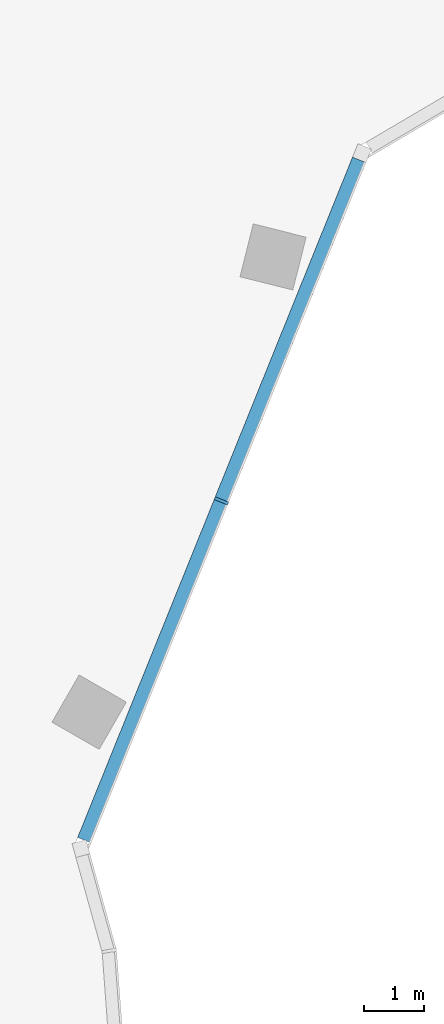
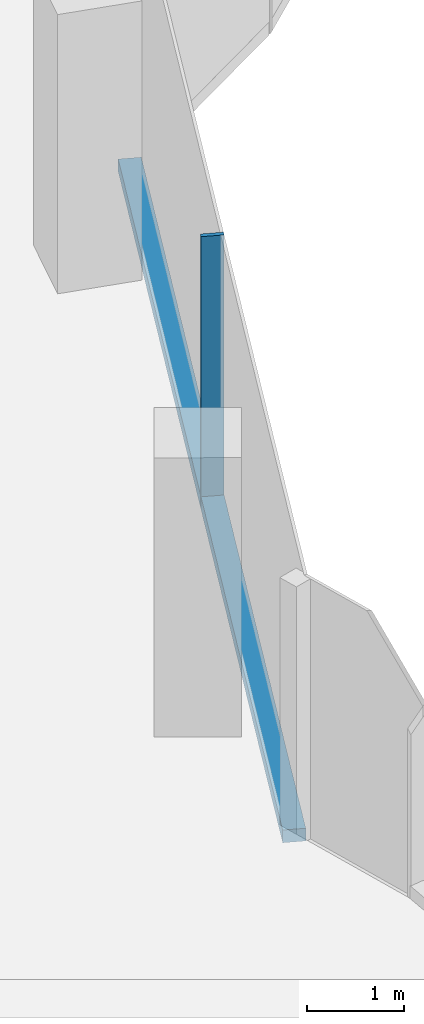
# One storey, part 5 of 16: 2 members, 1 element without a shape of its own.
"""IFC4 building model written with IfcOpenShell, lengths in metres."""

import ifcopenshell
import ifcopenshell.guid

model = None  # the IFC model being written
_history = None  # IfcOwnerHistory: only IFC2X3 demands one
_inside = {}  # id of a spatial element -> (the spatial element, [elements in it])
_under = {}  # id of a project, library or spatial element -> (it, [spatial elements below it])
_declared = {}  # id of a project -> (the project, [libraries it declares])
_typed = {}  # id of a type object -> (the type object, [elements of that type])
_made_of = {}  # id of a material, layer set ... -> (it, [elements and type objects made of it])


def new_model(schema):
    """Start an empty IFC model of exactly this schema.

    Asked for "IFC4X3", IfcOpenShell would pick the latest addendum, in which some entities
    have other attributes; the version numbers below select the first issue.
    IFC2X3 requires an IfcOwnerHistory on every rooted entity: one is made here for all.
    """
    global model, _history
    if schema == "IFC4X3":
        model = ifcopenshell.file(schema_version=(4, 3, 0, 0))
    else:
        model = ifcopenshell.file(schema=schema)
    _inside.clear()
    _under.clear()
    _declared.clear()
    _typed.clear()
    _made_of.clear()
    _history = None
    if model.schema == "IFC2X3":
        org = make("IfcOrganization", Name="unknown")
        user = make(
            "IfcPersonAndOrganization",
            ThePerson=make("IfcPerson", FamilyName="unknown"),
            TheOrganization=org,
        )
        app = make(
            "IfcApplication",
            ApplicationDeveloper=org,
            Version="unknown",
            ApplicationFullName="unknown",
            ApplicationIdentifier="unknown",
        )
        _history = make(
            "IfcOwnerHistory",
            OwningUser=user,
            OwningApplication=app,
            ChangeAction="ADDED",
            CreationDate=0,
        )
    return model


def make(cls, **values):
    """One entity of the class cls with the attributes given. An attribute that is None is left unset."""
    return model.create_entity(
        cls, **{name: value for name, value in values.items() if value is not None}
    )


def rooted(cls, **values):
    """An entity with a GlobalId (a new one), such as an element, a storey or a relation."""
    return make(cls, GlobalId=ifcopenshell.guid.new(), OwnerHistory=_history, **values)


def si_unit(unit_type, name, prefix=None):
    """IfcSIUnit, for example si_unit("LENGTHUNIT", "METRE", prefix="MILLI")."""
    return make("IfcSIUnit", UnitType=unit_type, Prefix=prefix, Name=name)


def assignment(units):
    """IfcUnitAssignment: the units of a project."""
    return None if units is None else make("IfcUnitAssignment", Units=units)


def point(xyz):
    """IfcCartesianPoint."""
    return None if xyz is None else make("IfcCartesianPoint", Coordinates=xyz)


def direction(xyz):
    """IfcDirection."""
    return None if xyz is None else make("IfcDirection", DirectionRatios=xyz)


def frame(location, z_axis=None, x_axis=None):
    """IfcAxis2Placement3D, a coordinate frame: its origin and axes. An axis left out is left unset."""
    return make(
        "IfcAxis2Placement3D",
        Location=point(location),
        Axis=direction(z_axis),
        RefDirection=direction(x_axis),
    )


def frame_2d(location, x_axis=None):
    """IfcAxis2Placement2D, a coordinate frame in the plane: its origin and x axis."""
    return make(
        "IfcAxis2Placement2D", Location=point(location), RefDirection=direction(x_axis)
    )


def origin():
    """The frame at (0, 0, 0) with its axes left unset."""
    return frame((0.0, 0.0, 0.0))


def origin_2d():
    """The frame at (0, 0) in the plane with its x axis left unset."""
    return frame_2d((0.0, 0.0))


def place(relative_to, where):
    """IfcLocalPlacement: puts the frame where relative to a parent placement (None: the world)."""
    return make(
        "IfcLocalPlacement", PlacementRelTo=relative_to, RelativePlacement=where
    )


def context(
    kind, dimensions, precision=None, world=None, true_north=None, identifier=None
):
    """IfcGeometricRepresentationContext, for example the 3D "Model" context."""
    return make(
        "IfcGeometricRepresentationContext",
        ContextIdentifier=identifier,
        ContextType=kind,
        CoordinateSpaceDimension=dimensions,
        Precision=precision,
        WorldCoordinateSystem=world,
        TrueNorth=true_north,
    )


def subcontext(parent, identifier, kind, view, scale=None):
    """IfcGeometricRepresentationSubContext, for example "Body" below "Model"."""
    return make(
        "IfcGeometricRepresentationSubContext",
        ContextIdentifier=identifier,
        ContextType=kind,
        ParentContext=parent,
        TargetScale=scale,
        TargetView=view,
    )


def project(units=None, contexts=None):
    """IfcProject with its units and contexts."""
    return rooted(
        "IfcProject",
        Name="project",
        RepresentationContexts=contexts,
        UnitsInContext=assignment(units),
    )


def spatial(cls, under=None, at=None, **own):
    """A site, building, storey or space (cls), placed at a placement, below another one or the project."""
    s = rooted(cls, ObjectPlacement=at, **own)
    if under is not None:
        _under.setdefault(under.id(), (under, []))[1].append(s)
    return s


def profile(cls, at=None, kind="AREA", **sizes):
    """A parametric profile (cls). Its sizes go by their IFC names, for example OverallWidth=200.0."""
    return make(cls, ProfileType=kind, Position=at, **sizes)


def rectangle(**sizes):
    """IfcRectangleProfileDef."""
    return profile("IfcRectangleProfileDef", **sizes)


def extrude(swept, where, along, depth):
    """IfcExtrudedAreaSolid: the profile swept, set in the frame where, extruded along a direction by depth."""
    return make(
        "IfcExtrudedAreaSolid",
        SweptArea=swept,
        Position=where,
        ExtrudedDirection=direction(along),
        Depth=depth,
    )


def shape(context_of_items, identifier, shape_type, items):
    """IfcShapeRepresentation: the items that make up one representation, for example the "Body"."""
    return make(
        "IfcShapeRepresentation",
        ContextOfItems=context_of_items,
        RepresentationIdentifier=identifier,
        RepresentationType=shape_type,
        Items=items,
    )


def material(Name=None, Category=None):
    """IfcMaterial."""
    return make("IfcMaterial", Name=Name, Category=Category)


def material_profile(
    of_material, cross_section, Name=None, Category=None, Priority=None
):
    """IfcMaterialProfile: a cross section and its material."""
    return make(
        "IfcMaterialProfile",
        Name=Name,
        Material=of_material,
        Profile=cross_section,
        Priority=Priority,
        Category=Category,
    )


def profile_set(profiles, Name=None, composite=None):
    """IfcMaterialProfileSet."""
    return make(
        "IfcMaterialProfileSet",
        Name=Name,
        MaterialProfiles=profiles,
        CompositeProfile=composite,
    )


def made_of(thing, what):
    """Note that an element or type object is made of a material, layer set ...; save() writes the relation."""
    if what is not None:
        _made_of.setdefault(what.id(), (what, []))[1].append(thing)
    return thing


def type_object(cls, material=None, **own):
    """A type object (cls), such as IfcWallType, which elements share."""
    return made_of(rooted(cls, **own), material)


def element(
    cls,
    number,
    at=None,
    inside=None,
    cuts=None,
    type_object=None,
    material=None,
    context=None,
    identifier="Body",
    shape_type=None,
    held_by="IfcProductDefinitionShape",
    body=None,
    shapes=None,
    **own,
):
    """One element of the class cls, such as IfcWall. Its Tag is "e" and its number.

    at: its placement. inside: the storey or other place that contains it. cuts: it is an
    opening in that element (IfcRelVoidsElement). A single representation is given by context,
    identifier, shape_type and body (its items); several are given by shapes. held_by: the class
    of the entity that holds the representations. save() writes the other relations.
    """
    e = rooted(cls, Tag="e%d" % number, ObjectPlacement=at, **own)
    if body is not None:
        shapes = [shape(context, identifier, shape_type, body)]
    if shapes is not None:
        e.Representation = make(held_by, Representations=shapes)
    if inside is not None:
        _inside.setdefault(inside.id(), (inside, []))[1].append(e)
    if cuts is not None:
        rooted(
            "IfcRelVoidsElement", RelatingBuildingElement=cuts, RelatedOpeningElement=e
        )
    if type_object is not None:
        _typed.setdefault(type_object.id(), (type_object, []))[1].append(e)
    return made_of(e, material)


def aggregate(whole, parts):
    """IfcRelAggregates: a whole, such as a stair, and the parts it consists of."""
    return rooted("IfcRelAggregates", RelatingObject=whole, RelatedObjects=parts)


def save(model, path):
    """Write the relations noted so far, then the file.

    IfcRelAggregates (storeys below a building ...), IfcRelContainedInSpatialStructure (elements
    in a storey), IfcRelDefinesByType, IfcRelAssociatesMaterial and IfcRelDeclares: one each for
    every whole, place, type object, material and project.
    """
    for whole, parts in _under.values():
        aggregate(whole, parts)
    for where, things in _inside.values():
        rooted(
            "IfcRelContainedInSpatialStructure",
            RelatedElements=things,
            RelatingStructure=where,
        )
    for kind, things in _typed.values():
        rooted("IfcRelDefinesByType", RelatedObjects=things, RelatingType=kind)
    for what, things in _made_of.values():
        rooted("IfcRelAssociatesMaterial", RelatedObjects=things, RelatingMaterial=what)
    for by, libraries in _declared.values():
        rooted("IfcRelDeclares", RelatingContext=by, RelatedDefinitions=libraries)
    model.write(path)


model = new_model("IFC4")

# Units and contexts
model_context = context("Model", 3, precision=1e-05, world=origin(), true_north=direction((0.0, 1.0)))
body_context = subcontext(model_context, "Body", "Model", "MODEL_VIEW")
ifc_project = project(units=[si_unit("LENGTHUNIT", "METRE"), si_unit("AREAUNIT", "SQUARE_METRE"), si_unit("VOLUMEUNIT", "CUBIC_METRE"), si_unit("PLANEANGLEUNIT", "RADIAN"), si_unit("MASSUNIT", "GRAM", prefix="KILO")], contexts=[model_context])

# Site, building, storey
site_placement = place(None, origin())
site = spatial("IfcSite", under=ifc_project, at=site_placement, CompositionType="ELEMENT")
building_placement = place(site_placement, origin())
building = spatial("IfcBuilding", under=site, at=building_placement, Name="Orlundy Tower", CompositionType="ELEMENT")
storey_placement = place(building_placement, frame((0.0, 0.0, 292.89990234375)))
storey = spatial("IfcBuildingStorey", under=building, at=storey_placement, Name="L78", CompositionType="ELEMENT", Elevation=292.89990234375)

# Curtain wall, members
ifc_material_1 = material(Name="Aluminium bronze anodised", Category="aluminium")
curtain_wall_type = type_object("IfcCurtainWallType", Name="CW6 wall", PredefinedType="NOTDEFINED", material=ifc_material_1)
curtain_wall_placement = place(storey_placement, origin())
curtain_wall = element("IfcCurtainWall", 1, at=curtain_wall_placement, inside=storey, type_object=curtain_wall_type, Name="CW6 run 01", PredefinedType="NOTDEFINED")
ifc_material_2 = material(Name="Aluminium bronze anodised", Category="aluminium")
ifc_material_profile_1 = material_profile(ifc_material_2, rectangle(XDim=0.239990234375, YDim=0.050048828125, at=origin_2d()), Name="CW6 mullion 50x240")
ifc_profile_set_1 = profile_set([ifc_material_profile_1], Name="Aluminium bronze anodised")
member_type_1 = type_object("IfcMemberType", Name="CW6 mullion 50x240", PredefinedType="MULLION", material=ifc_profile_set_1)
member_1_placement = place(storey_placement, frame((27.9267578125, -11.283447265625, -0.31982421875), z_axis=(0.0, 0.0, 1.0), x_axis=(0.927195304229, -0.37457825326, 0.0)))
member_1 = element("IfcMember", 2, at=member_1_placement, type_object=member_type_1, Name="CW6 mullion 3", PredefinedType="MULLION", context=body_context, shape_type="SweptSolid", body=[
    extrude(rectangle(XDim=0.239990234375, YDim=0.050048828125, at=origin_2d()), origin(), (0.0, 0.0, 1.0), 3.419921875),
])
ifc_material_3 = material(Name="Aluminium bronze anodised", Category="aluminium")
ifc_material_profile_2 = material_profile(ifc_material_3, rectangle(XDim=0.239990234375, YDim=0.159912109375, at=origin_2d()), Name="CW6 transom 240x160")
ifc_profile_set_2 = profile_set([ifc_material_profile_2], Name="Aluminium bronze anodised")
member_type_2 = type_object("IfcMemberType", Name="CW6 transom 240x160", PredefinedType="USERDEFINED", material=ifc_profile_set_2)
member_2_placement = place(storey_placement, frame((30.205078125, -5.64404296875, -0.239990234375), z_axis=(-0.374587142316, -0.927191713084, 0.0), x_axis=(0.927191713084, -0.374587142316, 0.0)))
member_2 = element("IfcMember", 3, at=member_2_placement, type_object=member_type_2, Name="CW6 transom", ObjectType="TRANSOM", PredefinedType="USERDEFINED", context=body_context, shape_type="SweptSolid", body=[
    extrude(rectangle(XDim=0.239990234375, YDim=0.159912109375, at=origin_2d()), origin(), (0.0, 0.0, 1.0), 12.133056640625),
])
aggregate(curtain_wall, [member_1, member_2])

save(model, "model.ifc")
